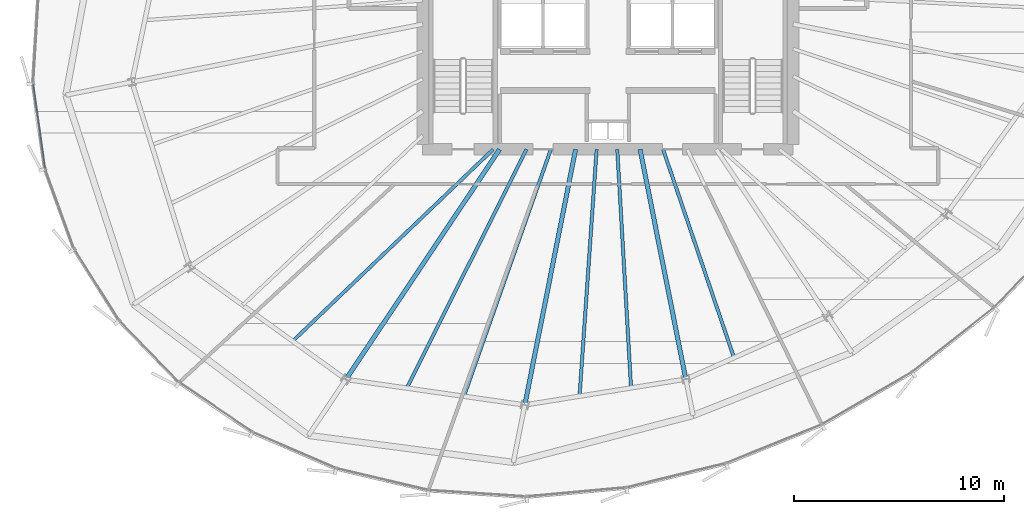
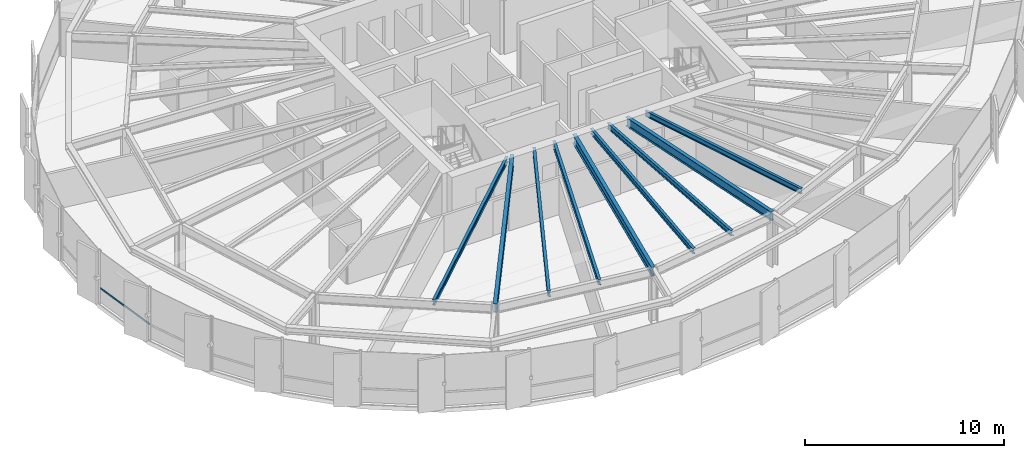
# One storey, part 7 of 35: 9 beams, 1 member, 1 element without a shape of its own.
"""IFC4 building model written with IfcOpenShell, lengths in metres."""

from ifc_helpers import new_model, si_unit, direction, frame, origin, origin_2d, place, context, subcontext, project, spatial, hollow_rectangle, i_section, extrude, source, transform, mapped, material, layer, layer_set, material_profile, profile_set, type_object, element, aggregate, save


model = new_model("IFC4")

# Units and contexts
model_context = context("Model", 3, precision=1e-05, world=origin(), true_north=direction((0.0, 1.0)))
body_context = subcontext(model_context, "Body", "Model", "MODEL_VIEW")
ifc_project = project(units=[si_unit("LENGTHUNIT", "METRE"), si_unit("AREAUNIT", "SQUARE_METRE"), si_unit("VOLUMEUNIT", "CUBIC_METRE"), si_unit("PLANEANGLEUNIT", "RADIAN"), si_unit("MASSUNIT", "GRAM", prefix="KILO"), si_unit("THERMODYNAMICTEMPERATUREUNIT", "KELVIN")], contexts=[model_context])

# Site, building, storey
site_placement = place(None, origin())
site = spatial("IfcSite", under=ifc_project, at=site_placement, CompositionType="ELEMENT")
building_placement = place(site_placement, origin())
building = spatial("IfcBuilding", under=site, at=building_placement, Name="Kethvar Cultural Tower", CompositionType="ELEMENT")
storey_placement = place(building_placement, frame((0.0, 0.0, 139.449951171875)))
storey = spatial("IfcBuildingStorey", under=building, at=storey_placement, Name="L35", CompositionType="ELEMENT", Elevation=139.449951171875)

# Beams
ifc_material_1 = material(Name="Steel S355J2", Category="steel")
ifc_material_profile_1 = material_profile(ifc_material_1, i_section(OverallWidth=0.2099609375, OverallDepth=0.550048828125, WebThickness=0.010986328125, FlangeThickness=0.01708984375, FilletRadius=0.02392578125, at=origin_2d()), Name="Steel S355J2 — IPE550")
ifc_profile_set_1 = profile_set([ifc_material_profile_1], Name="Steel S355J2 — IPE550")
beam_type_1 = type_object("IfcBeamType", Name="BM-IPE550", PredefinedType="BEAM", material=ifc_profile_set_1)
shared_shape_1 = source(origin(), body_context, "Body", "SweptSolid", [
    extrude(i_section(OverallWidth=0.2099609375, OverallDepth=0.550048828125, WebThickness=0.010986328125, FlangeThickness=0.01708984375, FilletRadius=0.02392578125, at=origin_2d()), origin(), (0.0, 0.0, 1.0), 13.147216796875),
])
beam_1_placement = place(storey_placement, frame((41.655029296875, 20.10009765625, 3.02294921875), z_axis=(-0.555565525446, -0.831472757783, 0.0), x_axis=(0.831472757783, -0.555565525446, 0.0)))
element("IfcBeam", 1, at=beam_1_placement, inside=storey, type_object=beam_type_1, Name="L35 Primary Radial Beam RB-11", PredefinedType="BEAM", context=body_context, shape_type="MappedRepresentation", body=[
    mapped(shared_shape_1, transform((0.0, 0.0, 0.0), scale=1.0)),
])
shared_shape_2 = source(origin(), body_context, "Body", "SweptSolid", [
    extrude(i_section(OverallWidth=0.2099609375, OverallDepth=0.550048828125, WebThickness=0.010986328125, FlangeThickness=0.01708984375, FilletRadius=0.02392578125, at=origin_2d()), origin(), (0.0, 0.0, 1.0), 12.384521484375),
])
beam_2_placement = place(storey_placement, frame((45.268310546875, 20.10009765625, 3.02294921875), z_axis=(-0.195084858678, -0.980786367113, 0.0), x_axis=(0.980786367113, -0.195084858678, 0.0)))
element("IfcBeam", 2, at=beam_2_placement, inside=storey, type_object=beam_type_1, Name="L35 Primary Radial Beam RB-12", PredefinedType="BEAM", context=body_context, shape_type="MappedRepresentation", body=[
    mapped(shared_shape_2, transform((0.0, 0.0, 0.0), scale=1.0)),
])
shared_shape_3 = source(origin(), body_context, "Body", "SweptSolid", [
    extrude(i_section(OverallWidth=0.2099609375, OverallDepth=0.550048828125, WebThickness=0.010986328125, FlangeThickness=0.01708984375, FilletRadius=0.02392578125, at=origin_2d()), origin(), (0.0, 0.0, 1.0), 11.131591796875),
])
beam_3_placement = place(storey_placement, frame((48.33154296875, 20.10009765625, 3.02294921875), z_axis=(0.195107998266, -0.980781764213, 0.0), x_axis=(0.980781764213, 0.195107998266, 0.0)))
element("IfcBeam", 3, at=beam_3_placement, inside=storey, type_object=beam_type_1, Name="L35 Primary Radial Beam RB-13", PredefinedType="BEAM", context=body_context, shape_type="MappedRepresentation", body=[
    mapped(shared_shape_3, transform((0.0, 0.0, 0.0), scale=1.0)),
])
ifc_material_profile_2 = material_profile(ifc_material_1, i_section(OverallWidth=0.159912109375, OverallDepth=0.330078125, WebThickness=0.007568359375, FlangeThickness=0.011474609375, FilletRadius=0.01806640625, at=origin_2d()), Name="Steel S355J2 — IPE330")
ifc_profile_set_2 = profile_set([ifc_material_profile_2], Name="Steel S355J2 — IPE330")
beam_type_2 = type_object("IfcBeamType", Name="BM-J330", PredefinedType="JOIST", material=ifc_profile_set_2)
shared_shape_4 = source(origin(), body_context, "Body", "SweptSolid", [
    extrude(i_section(OverallWidth=0.159912109375, OverallDepth=0.330078125, WebThickness=0.007568359375, FlangeThickness=0.011474609375, FilletRadius=0.01806640625, at=origin_2d()), origin(), (0.0, 0.0, 1.0), 13.1826171875),
])
beam_4_placement = place(storey_placement, frame((41.35009765625, 20.10009765625, 3.133056640625), z_axis=(-0.722573880181, -0.691293705801, 0.0), x_axis=(0.691293705801, -0.722573880181, 0.0)))
element("IfcBeam", 4, at=beam_4_placement, inside=storey, type_object=beam_type_2, Name="L35 Composite Floor Joist J-10B", PredefinedType="JOIST", context=body_context, shape_type="MappedRepresentation", body=[
    mapped(shared_shape_4, transform((0.0, 0.0, 0.0), scale=1.0)),
])
shared_shape_5 = source(origin(), body_context, "Body", "SweptSolid", [
    extrude(i_section(OverallWidth=0.159912109375, OverallDepth=0.330078125, WebThickness=0.007568359375, FlangeThickness=0.011474609375, FilletRadius=0.01806640625, at=origin_2d()), origin(), (0.0, 0.0, 1.0), 12.693603515625),
])
beam_5_placement = place(storey_placement, frame((42.935302734375, 20.10009765625, 3.133056640625), z_axis=(-0.448582495233, -0.893741430712, 0.0), x_axis=(0.893741430712, -0.448582495233, 0.0)))
element("IfcBeam", 5, at=beam_5_placement, inside=storey, type_object=beam_type_2, Name="L35 Composite Floor Joist J-11A", PredefinedType="JOIST", context=body_context, shape_type="MappedRepresentation", body=[
    mapped(shared_shape_5, transform((0.0, 0.0, 0.0), scale=1.0)),
])
shared_shape_6 = source(origin(), body_context, "Body", "SweptSolid", [
    extrude(i_section(OverallWidth=0.159912109375, OverallDepth=0.330078125, WebThickness=0.007568359375, FlangeThickness=0.011474609375, FilletRadius=0.01806640625, at=origin_2d()), origin(), (0.0, 0.0, 1.0), 12.4384765625),
])
beam_6_placement = place(storey_placement, frame((44.090576171875, 20.10009765625, 3.133056640625), z_axis=(-0.331923676994, -0.943306245421, 0.0), x_axis=(0.943306245421, -0.331923676994, 0.0)))
element("IfcBeam", 6, at=beam_6_placement, inside=storey, type_object=beam_type_2, Name="L35 Composite Floor Joist J-11B", PredefinedType="JOIST", context=body_context, shape_type="MappedRepresentation", body=[
    mapped(shared_shape_6, transform((0.0, 0.0, 0.0), scale=1.0)),
])
shared_shape_7 = source(origin(), body_context, "Body", "SweptSolid", [
    extrude(i_section(OverallWidth=0.159912109375, OverallDepth=0.330078125, WebThickness=0.007568359375, FlangeThickness=0.011474609375, FilletRadius=0.01806640625, at=origin_2d()), origin(), (0.0, 0.0, 1.0), 11.7568359375),
])
beam_7_placement = place(storey_placement, frame((46.266357421875, 20.10009765625, 3.133056640625), z_axis=(-0.069129203877, -0.997607715072, 0.0), x_axis=(0.997607715072, -0.069129203877, 0.0)))
element("IfcBeam", 7, at=beam_7_placement, inside=storey, type_object=beam_type_2, Name="L35 Composite Floor Joist J-12A", PredefinedType="JOIST", context=body_context, shape_type="MappedRepresentation", body=[
    mapped(shared_shape_7, transform((0.0, 0.0, 0.0), scale=1.0)),
])
shared_shape_8 = source(origin(), body_context, "Body", "SweptSolid", [
    extrude(i_section(OverallWidth=0.159912109375, OverallDepth=0.330078125, WebThickness=0.007568359375, FlangeThickness=0.011474609375, FilletRadius=0.01806640625, at=origin_2d()), origin(), (0.0, 0.0, 1.0), 11.354736328125),
])
beam_8_placement = place(storey_placement, frame((47.245849609375, 20.10009765625, 3.133056640625), z_axis=(0.057795585741, -0.998328438075, 0.0), x_axis=(0.998328438075, 0.057795585741, 0.0)))
element("IfcBeam", 8, at=beam_8_placement, inside=storey, type_object=beam_type_2, Name="L35 Composite Floor Joist J-12B", PredefinedType="JOIST", context=body_context, shape_type="MappedRepresentation", body=[
    mapped(shared_shape_8, transform((0.0, 0.0, 0.0), scale=1.0)),
])
shared_shape_9 = source(origin(), body_context, "Body", "SweptSolid", [
    extrude(i_section(OverallWidth=0.159912109375, OverallDepth=0.330078125, WebThickness=0.007568359375, FlangeThickness=0.011474609375, FilletRadius=0.01806640625, at=origin_2d()), origin(), (0.0, 0.0, 1.0), 10.45947265625),
])
beam_9_placement = place(storey_placement, frame((49.42236328125, 20.10009765625, 3.133056640625), z_axis=(0.322390188368, -0.94660687006, 0.0), x_axis=(0.94660687006, 0.322390188368, 0.0)))
element("IfcBeam", 9, at=beam_9_placement, inside=storey, type_object=beam_type_2, Name="L35 Composite Floor Joist J-13A", PredefinedType="JOIST", context=body_context, shape_type="MappedRepresentation", body=[
    mapped(shared_shape_9, transform((0.0, 0.0, 0.0), scale=1.0)),
])

# Curtain wall, member
ifc_material_2 = material(Name="Aluminium 6063-T6", Category="aluminium")
ifc_layer = layer(ifc_material_2, 0.179931640625, Name="Aluminium 6063-T6", Category="aluminium")
ifc_layer_set = layer_set([ifc_layer], Name="Aluminium 6063-T6 (180 mm)")
curtain_wall_type = type_object("IfcCurtainWallType", Name="CW-SYS-04-Z34", PredefinedType="NOTDEFINED", material=ifc_layer_set)
curtain_wall_placement = place(storey_placement, origin())
curtain_wall = element("IfcCurtainWall", 10, at=curtain_wall_placement, inside=storey, type_object=curtain_wall_type, Name="L35 Curtain Wall Run 03", PredefinedType="NOTDEFINED")
ifc_material_profile_3 = material_profile(ifc_material_2, hollow_rectangle(XDim=0.050048828125, YDim=0.10009765625, WallThickness=0.00390625, at=origin_2d()), Name="Aluminium 6063-T6 — RHS100x50x4")
ifc_profile_set_3 = profile_set([ifc_material_profile_3], Name="Aluminium 6063-T6 — RHS100x50x4")
member_type = type_object("IfcMemberType", Name="CW-SYS-04-Z34-TRN", PredefinedType="USERDEFINED", material=ifc_profile_set_3)
shared_shape_10 = source(origin(), body_context, "Body", "SweptSolid", [
    extrude(hollow_rectangle(XDim=0.050048828125, YDim=0.10009765625, WallThickness=0.00390625, at=origin_2d()), origin(), (0.0, 0.0, 1.0), 4.030029296875),
])
member_placement = place(storey_placement, frame((19.497314453125, 23.191162109375, 0.949951171875), z_axis=(0.139156437832, -0.990270410449, 0.0), x_axis=(0.990270410449, 0.139156437832, 0.0)))
member = element("IfcMember", 11, at=member_placement, type_object=member_type, Name="CW-L35-R03 Transom 5", ObjectType="TRANSOM", PredefinedType="USERDEFINED", context=body_context, shape_type="MappedRepresentation", body=[
    mapped(shared_shape_10, transform((0.0, 0.0, 0.0), scale=1.0)),
])
aggregate(curtain_wall, [member])

save(model, "model.ifc")
